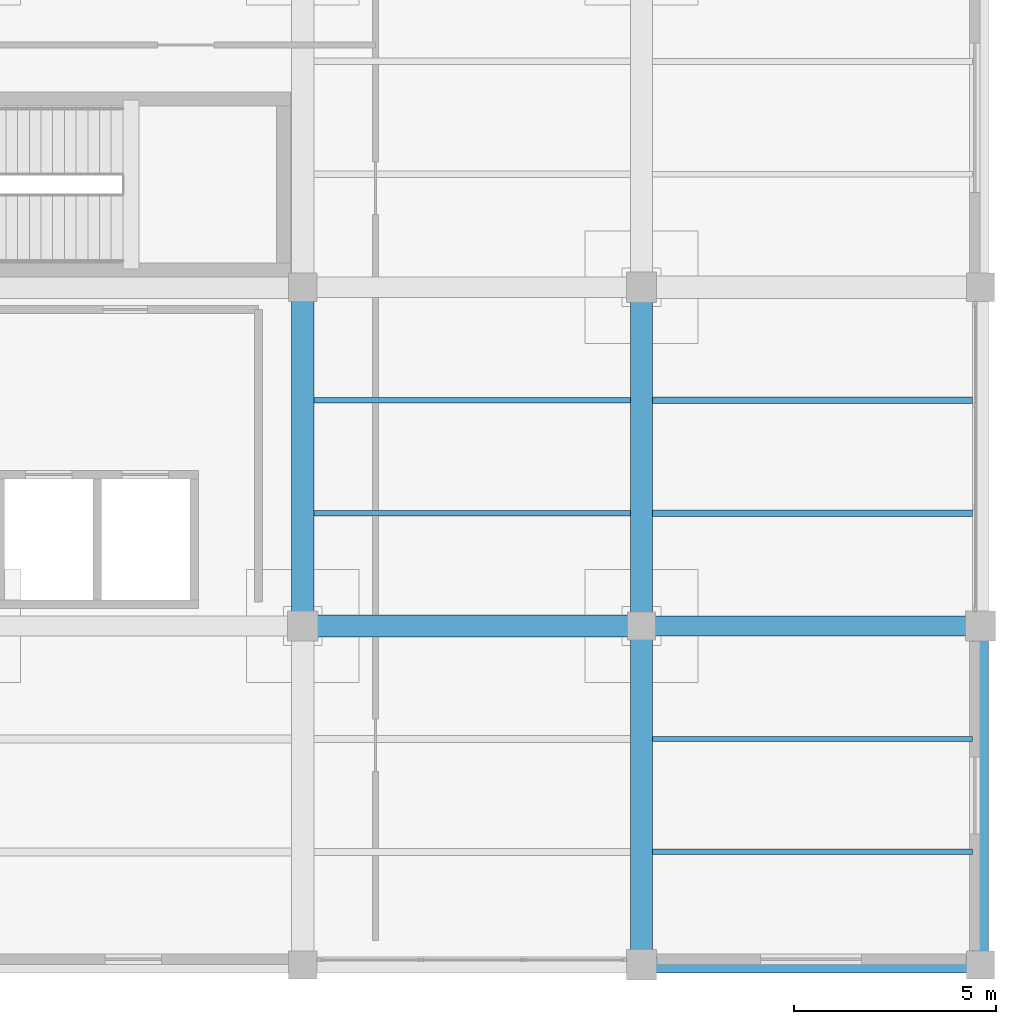
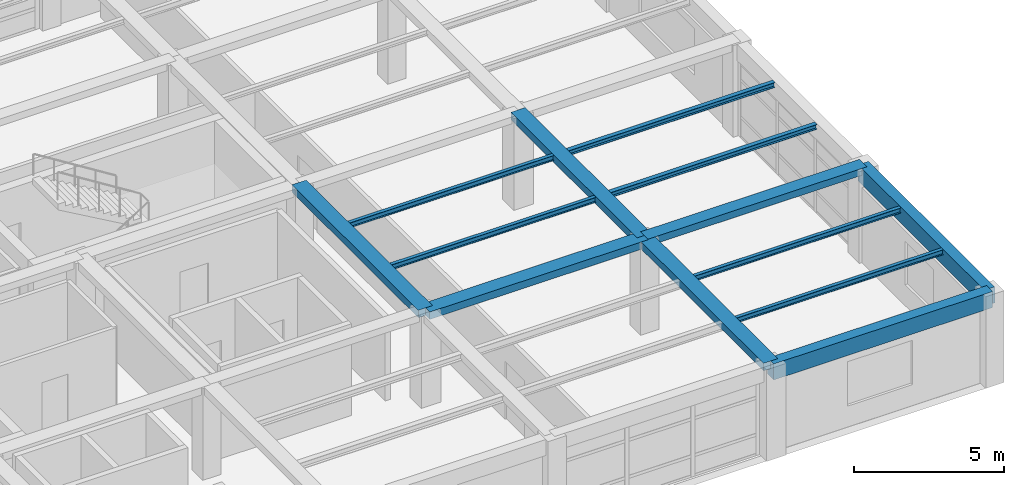
# One storey, part 11 of 26: 13 beams.
"""IFC4 building model written with IfcOpenShell, lengths in metres."""

from ifc_helpers import new_model, si_unit, direction, frame, origin, origin_2d, place, context, subcontext, project, spatial, rectangle, i_section, extrude, material, material_profile, profile_set, type_object, element, save


model = new_model("IFC4")

# Units and contexts
model_context = context("Model", 3, precision=1e-05, world=origin(), true_north=direction((0.0, 1.0)))
body_context = subcontext(model_context, "Body", "Model", "MODEL_VIEW")
ifc_project = project(units=[si_unit("LENGTHUNIT", "METRE"), si_unit("AREAUNIT", "SQUARE_METRE"), si_unit("VOLUMEUNIT", "CUBIC_METRE"), si_unit("PLANEANGLEUNIT", "RADIAN"), si_unit("MASSUNIT", "GRAM", prefix="KILO")], contexts=[model_context])

# Site, building, storey
site_placement = place(None, origin())
site = spatial("IfcSite", under=ifc_project, at=site_placement, CompositionType="ELEMENT")
building_placement = place(site_placement, origin())
building = spatial("IfcBuilding", under=site, at=building_placement, Name="Almacenes y Pasaje Nevantli", CompositionType="ELEMENT")
storey_placement = place(building_placement, frame((0.0, 0.0, 38.699951171875)))
storey = spatial("IfcBuildingStorey", under=building, at=storey_placement, Name="L09", CompositionType="ELEMENT", Elevation=38.699951171875)

# Beams
ifc_material_1 = material(Name="Concrete C35/45", Category="concrete")
ifc_material_profile_1 = material_profile(ifc_material_1, rectangle(XDim=0.39990234375, YDim=0.64990234375, at=origin_2d()), Name="RC-BM-400x650")
ifc_profile_set_1 = profile_set([ifc_material_profile_1], Name="Concrete C35/45")
beam_type_1 = type_object("IfcBeamType", Name="BM-RC-400x650", PredefinedType="SPANDREL", material=ifc_profile_set_1)
for number, where, z_axis, x_axis, name in (
    (1, (151.199951171875, 67.199951171875, 3.39501953125), (1.0, 0.0, 0.0), (0.0, 1.0, 0.0), "L09 East-West Reinforced Concrete Beam #3746"),
    (2, (159.60009765625, 67.199951171875, 3.39501953125), (0.0, 1.0, 0.0), (-1.0, 0.0, 0.0), "L09 North-South Reinforced Concrete Beam #3793"),
):
    element("IfcBeam", number, at=place(storey_placement, frame(where, z_axis=z_axis, x_axis=x_axis)), inside=storey, type_object=beam_type_1, Name=name, PredefinedType="SPANDREL", context=body_context, shape_type="SweptSolid", body=[
        extrude(rectangle(XDim=0.39990234375, YDim=0.64990234375, at=origin_2d()), origin(), (0.0, 0.0, 1.0), 8.400146484375),
    ])
ifc_material_2 = material(Name="Concrete C35/45", Category="concrete")
ifc_material_profile_2 = material_profile(ifc_material_2, rectangle(XDim=0.5, YDim=0.280029296875, at=origin_2d()), Name="RC-BM-500x280")
ifc_profile_set_2 = profile_set([ifc_material_profile_2], Name="Concrete C35/45")
beam_type_2 = type_object("IfcBeamType", Name="BM-RC-500x280", PredefinedType="BEAM", material=ifc_profile_set_2)
beam_1_placement = place(storey_placement, frame((151.199951171875, 75.60009765625, 3.580078125), z_axis=(1.0, 0.0, 0.0), x_axis=(0.0, 1.0, 0.0)))
element("IfcBeam", 3, at=beam_1_placement, inside=storey, type_object=beam_type_2, Name="L09 East-West Reinforced Concrete Beam #3752", PredefinedType="BEAM", context=body_context, shape_type="SweptSolid", body=[
    extrude(rectangle(XDim=0.5, YDim=0.280029296875, at=origin_2d()), origin(), (0.0, 0.0, 1.0), 8.400146484375),
])
ifc_material_3 = material(Name="Concrete C35/45", Category="concrete")
ifc_material_profile_3 = material_profile(ifc_material_3, rectangle(XDim=0.550048828125, YDim=0.300048828125, at=origin_2d()), Name="RC-BM-550x300")
ifc_profile_set_3 = profile_set([ifc_material_profile_3], Name="Concrete C35/45")
beam_type_3 = type_object("IfcBeamType", Name="BM-RC-550x300", PredefinedType="BEAM", material=ifc_profile_set_3)
for number, where, z_axis, x_axis, name in (
    (4, (142.800048828125, 75.60009765625, 3.570068359375), (1.0, 0.0, 0.0), (0.0, 1.0, 0.0), "L09 East-West Reinforced Concrete Beam #3751"),
    (5, (142.800048828125, 75.60009765625, 3.570068359375), (0.0, 1.0, 0.0), (-1.0, 0.0, 0.0), "L09 North-South Reinforced Concrete Beam #3786"),
):
    element("IfcBeam", number, at=place(storey_placement, frame(where, z_axis=z_axis, x_axis=x_axis)), inside=storey, type_object=beam_type_3, Name=name, PredefinedType="BEAM", context=body_context, shape_type="SweptSolid", body=[
        extrude(rectangle(XDim=0.550048828125, YDim=0.300048828125, at=origin_2d()), origin(), (0.0, 0.0, 1.0), 8.39990234375),
    ])
beam_2_placement = place(storey_placement, frame((151.199951171875, 67.199951171875, 3.570068359375), z_axis=(0.0, 1.0, 0.0), x_axis=(-1.0, 0.0, 0.0)))
element("IfcBeam", 6, at=beam_2_placement, inside=storey, type_object=beam_type_3, Name="L09 North-South Reinforced Concrete Beam #3789", PredefinedType="BEAM", context=body_context, shape_type="SweptSolid", body=[
    extrude(rectangle(XDim=0.550048828125, YDim=0.300048828125, at=origin_2d()), origin(), (0.0, 0.0, 1.0), 8.400146484375),
])
beam_3_placement = place(storey_placement, frame((151.199951171875, 75.60009765625, 3.570068359375), z_axis=(0.0, 1.0, 0.0), x_axis=(-1.0, 0.0, 0.0)))
element("IfcBeam", 7, at=beam_3_placement, inside=storey, type_object=beam_type_3, Name="L09 North-South Reinforced Concrete Beam #3790", PredefinedType="BEAM", context=body_context, shape_type="SweptSolid", body=[
    extrude(rectangle(XDim=0.550048828125, YDim=0.300048828125, at=origin_2d()), origin(), (0.0, 0.0, 1.0), 8.39990234375),
])
ifc_material_4 = material(Name="Steel ASTM A992", Category="steel")
ifc_material_profile_4 = material_profile(ifc_material_4, i_section(OverallWidth=0.134033203125, OverallDepth=0.2099609375, WebThickness=0.00634765625, FlangeThickness=0.01025390625, at=origin_2d()), Name="IR 203x31.3")
ifc_profile_set_4 = profile_set([ifc_material_profile_4], Name="Steel ASTM A992")
beam_type_4 = type_object("IfcBeamType", Name="BM-STL-IR-203x31p3", PredefinedType="JOIST", material=ifc_profile_set_4)
for number, where, z_axis, x_axis, name in (
    (8, (143.074951171875, 78.39990234375, 3.60693359375), (1.0, 0.0, 0.0), (0.0, 1.0, 0.0), "L09 Secondary Steel Floor Joist #1475"),
    (9, (143.074951171875, 81.199951171875, 3.60693359375), (1.0, 0.0, 0.0), (0.0, 1.0, 0.0), "L09 Secondary Steel Floor Joist #1476"),
):
    element("IfcBeam", number, at=place(storey_placement, frame(where, z_axis=z_axis, x_axis=x_axis)), inside=storey, type_object=beam_type_4, Name=name, PredefinedType="JOIST", context=body_context, shape_type="SweptSolid", body=[
        extrude(i_section(OverallWidth=0.134033203125, OverallDepth=0.2099609375, WebThickness=0.00634765625, FlangeThickness=0.01025390625, at=origin_2d()), origin(), (0.0, 0.0, 1.0), 7.85009765625),
    ])
for number, where, z_axis, x_axis, name in (
    (10, (151.47509765625, 70.0, 3.60693359375), (1.0, 0.0, 0.0), (0.0, 1.0, 0.0), "L09 Secondary Steel Floor Joist #1481"),
    (11, (151.47509765625, 72.800048828125, 3.60693359375), (1.0, 0.0, 0.0), (0.0, 1.0, 0.0), "L09 Secondary Steel Floor Joist #1482"),
):
    element("IfcBeam", number, at=place(storey_placement, frame(where, z_axis=z_axis, x_axis=x_axis)), inside=storey, type_object=beam_type_4, Name=name, PredefinedType="JOIST", context=body_context, shape_type="SweptSolid", body=[
        extrude(i_section(OverallWidth=0.134033203125, OverallDepth=0.2099609375, WebThickness=0.00634765625, FlangeThickness=0.01025390625, at=origin_2d()), origin(), (0.0, 0.0, 1.0), 7.9248046875),
    ])
ifc_material_5 = material(Name="Steel ASTM A992", Category="steel")
ifc_material_profile_5 = material_profile(ifc_material_5, i_section(OverallWidth=0.166015625, OverallDepth=0.205078125, WebThickness=0.007080078125, FlangeThickness=0.01171875, at=origin_2d()), Name="IR 203x41.7")
ifc_profile_set_5 = profile_set([ifc_material_profile_5], Name="Steel ASTM A992")
beam_type_5 = type_object("IfcBeamType", Name="BM-STL-IR-203x41p7", PredefinedType="JOIST", material=ifc_profile_set_5)
for number, where, z_axis, x_axis, name in (
    (12, (151.47509765625, 78.39990234375, 3.609619140625), (1.0, 0.0, 0.0), (0.0, 1.0, 0.0), "L09 Secondary Steel Floor Joist #1483"),
    (13, (151.47509765625, 81.199951171875, 3.609619140625), (1.0, 0.0, 0.0), (0.0, 1.0, 0.0), "L09 Secondary Steel Floor Joist #1484"),
):
    element("IfcBeam", number, at=place(storey_placement, frame(where, z_axis=z_axis, x_axis=x_axis)), inside=storey, type_object=beam_type_5, Name=name, PredefinedType="JOIST", context=body_context, shape_type="SweptSolid", body=[
        extrude(i_section(OverallWidth=0.166015625, OverallDepth=0.205078125, WebThickness=0.007080078125, FlangeThickness=0.01171875, at=origin_2d()), origin(), (0.0, 0.0, 1.0), 7.9248046875),
    ])

save(model, "model.ifc")
